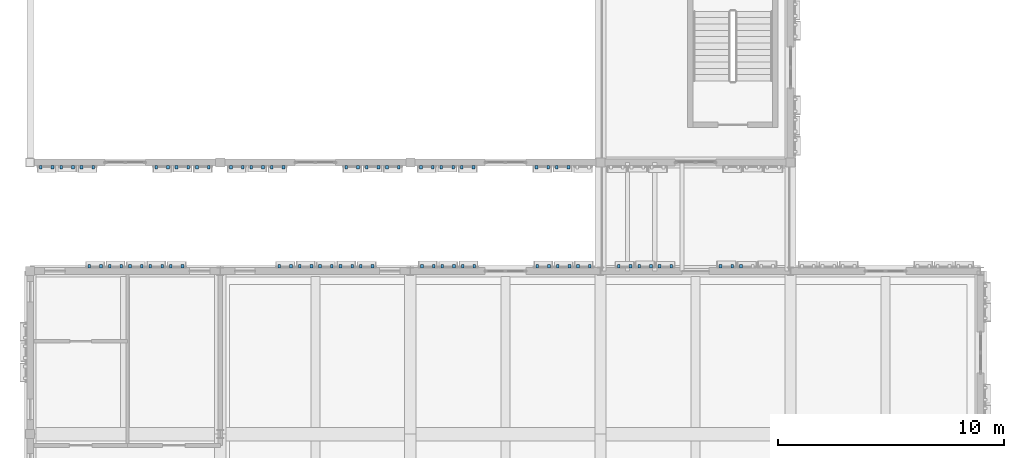
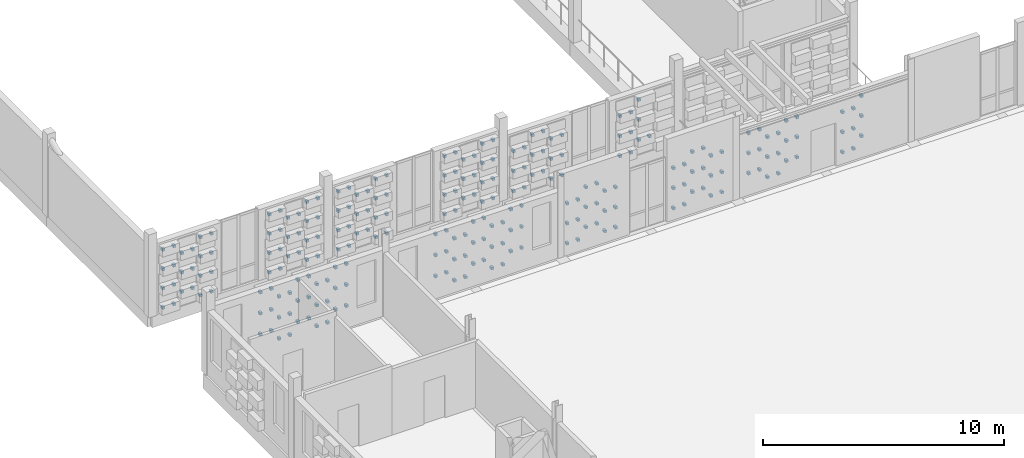
# One storey, part 81 of 99: 239 discrete accessories.
"""IFC4 building model written with IfcOpenShell, lengths in metres."""

from ifc_helpers import new_model, si_unit, direction, frame, origin, origin_2d, place, context, subcontext, project, spatial, rectangle, extrude, material, type_object, element, save


model = new_model("IFC4")

# Units and contexts
model_context = context("Model", 3, precision=1e-05, world=origin(), true_north=direction((0.0, 1.0)))
body_context = subcontext(model_context, "Body", "Model", "MODEL_VIEW")
ifc_project = project(units=[si_unit("LENGTHUNIT", "METRE"), si_unit("AREAUNIT", "SQUARE_METRE"), si_unit("VOLUMEUNIT", "CUBIC_METRE"), si_unit("PLANEANGLEUNIT", "RADIAN"), si_unit("MASSUNIT", "GRAM", prefix="KILO")], contexts=[model_context])

# Site, building, storey
site_placement = place(None, origin())
site = spatial("IfcSite", under=ifc_project, at=site_placement, CompositionType="ELEMENT")
building_placement = place(site_placement, origin())
building = spatial("IfcBuilding", under=site, at=building_placement, Name="Kahlenmark Community Centre", CompositionType="ELEMENT")
storey_placement = place(building_placement, frame((0.0, 0.0, 5.39990234375)))
storey = spatial("IfcBuildingStorey", under=building, at=storey_placement, Name="L01", CompositionType="ELEMENT", Elevation=5.39990234375)

# Discrete accessories
ifc_material = material(Name="Stainless steel 1.4401 rainscreen bracket", Category="steel")
discrete_accessory_type = type_object("IfcDiscreteAccessoryType", Name="DAT-BRACKET-TC", PredefinedType="BRACKET", material=ifc_material)
for number, where, z_axis, x_axis, name in (
    (1, (10.72998046875, 37.81005859375, 0.818115234375), (0.0, 0.0, 1.0), (-1.0, 0.0, 0.0), "Terracotta cassette bracket 0182.1"),
    (2, (10.2099609375, 37.81005859375, 0.818115234375), (0.0, 0.0, 1.0), (-1.0, 0.0, 0.0), "Terracotta cassette bracket 0182.2"),
    (3, (10.72998046875, 37.81005859375, 1.882080078125), (0.0, 0.0, 1.0), (-1.0, 0.0, 0.0), "Terracotta cassette bracket 0184.1"),
    (4, (10.2099609375, 37.81005859375, 1.882080078125), (0.0, 0.0, 1.0), (-1.0, 0.0, 0.0), "Terracotta cassette bracket 0184.2"),
    (5, (10.72998046875, 37.81005859375, 2.946044921875), (0.0, 0.0, 1.0), (-1.0, 0.0, 0.0), "Terracotta cassette bracket 0186.1"),
    (6, (10.2099609375, 37.81005859375, 2.946044921875), (0.0, 0.0, 1.0), (-1.0, 0.0, 0.0), "Terracotta cassette bracket 0186.2"),
    (7, (9.830078125, 37.81005859375, 0.2861328125), (0.0, 0.0, 1.0), (-1.0, 0.0, 0.0), "Terracotta cassette bracket 0187.1"),
    (8, (9.31005859375, 37.81005859375, 0.2861328125), (0.0, 0.0, 1.0), (-1.0, 0.0, 0.0), "Terracotta cassette bracket 0187.2"),
    (9, (9.830078125, 37.81005859375, 1.35009765625), (0.0, 0.0, 1.0), (-1.0, 0.0, 0.0), "Terracotta cassette bracket 0189.1"),
    (10, (9.31005859375, 37.81005859375, 1.35009765625), (0.0, 0.0, 1.0), (-1.0, 0.0, 0.0), "Terracotta cassette bracket 0189.2"),
    (11, (9.830078125, 37.81005859375, 2.4140625), (0.0, 0.0, 1.0), (-1.0, 0.0, 0.0), "Terracotta cassette bracket 0191.1"),
    (12, (9.31005859375, 37.81005859375, 2.4140625), (0.0, 0.0, 1.0), (-1.0, 0.0, 0.0), "Terracotta cassette bracket 0191.2"),
    (13, (8.929931640625, 37.81005859375, 0.818115234375), (0.0, 0.0, 1.0), (-1.0, 0.0, 0.0), "Terracotta cassette bracket 0194.1"),
    (14, (8.409912109375, 37.81005859375, 0.818115234375), (0.0, 0.0, 1.0), (-1.0, 0.0, 0.0), "Terracotta cassette bracket 0194.2"),
    (15, (8.929931640625, 37.81005859375, 1.882080078125), (0.0, 0.0, 1.0), (-1.0, 0.0, 0.0), "Terracotta cassette bracket 0196.1"),
    (16, (8.409912109375, 37.81005859375, 1.882080078125), (0.0, 0.0, 1.0), (-1.0, 0.0, 0.0), "Terracotta cassette bracket 0196.2"),
    (17, (8.929931640625, 37.81005859375, 2.946044921875), (0.0, 0.0, 1.0), (-1.0, 0.0, 0.0), "Terracotta cassette bracket 0198.1"),
    (18, (8.409912109375, 37.81005859375, 2.946044921875), (0.0, 0.0, 1.0), (-1.0, 0.0, 0.0), "Terracotta cassette bracket 0198.2"),
    (19, (8.030029296875, 37.81005859375, 0.2861328125), (0.0, 0.0, 1.0), (-1.0, 0.0, 0.0), "Terracotta cassette bracket 0199.1"),
    (20, (7.510009765625, 37.81005859375, 0.2861328125), (0.0, 0.0, 1.0), (-1.0, 0.0, 0.0), "Terracotta cassette bracket 0199.2"),
    (21, (8.030029296875, 37.81005859375, 1.35009765625), (0.0, 0.0, 1.0), (-1.0, 0.0, 0.0), "Terracotta cassette bracket 0201.1"),
    (22, (7.510009765625, 37.81005859375, 1.35009765625), (0.0, 0.0, 1.0), (-1.0, 0.0, 0.0), "Terracotta cassette bracket 0201.2"),
    (23, (8.030029296875, 37.81005859375, 2.4140625), (0.0, 0.0, 1.0), (-1.0, 0.0, 0.0), "Terracotta cassette bracket 0203.1"),
    (24, (7.510009765625, 37.81005859375, 2.4140625), (0.0, 0.0, 1.0), (-1.0, 0.0, 0.0), "Terracotta cassette bracket 0203.2"),
    (25, (7.1298828125, 37.81005859375, 0.818115234375), (0.0, 0.0, 1.0), (-1.0, 0.0, 0.0), "Terracotta cassette bracket 0206.1"),
    (26, (6.610107421875, 37.81005859375, 0.818115234375), (0.0, 0.0, 1.0), (-1.0, 0.0, 0.0), "Terracotta cassette bracket 0206.2"),
    (27, (7.1298828125, 37.81005859375, 1.882080078125), (0.0, 0.0, 1.0), (-1.0, 0.0, 0.0), "Terracotta cassette bracket 0208.1"),
    (28, (6.610107421875, 37.81005859375, 1.882080078125), (0.0, 0.0, 1.0), (-1.0, 0.0, 0.0), "Terracotta cassette bracket 0208.2"),
    (29, (7.1298828125, 37.81005859375, 2.946044921875), (0.0, 0.0, 1.0), (-1.0, 0.0, 0.0), "Terracotta cassette bracket 0210.1"),
    (30, (6.610107421875, 37.81005859375, 2.946044921875), (0.0, 0.0, 1.0), (-1.0, 0.0, 0.0), "Terracotta cassette bracket 0210.2"),
    (31, (19.1298828125, 37.81005859375, 0.818115234375), (0.0, 0.0, 1.0), (-1.0, 0.0, 0.0), "Terracotta cassette bracket 0212.1"),
    (32, (18.610107421875, 37.81005859375, 0.818115234375), (0.0, 0.0, 1.0), (-1.0, 0.0, 0.0), "Terracotta cassette bracket 0212.2"),
    (33, (19.1298828125, 37.81005859375, 1.882080078125), (0.0, 0.0, 1.0), (-1.0, 0.0, 0.0), "Terracotta cassette bracket 0214.1"),
    (34, (18.610107421875, 37.81005859375, 1.882080078125), (0.0, 0.0, 1.0), (-1.0, 0.0, 0.0), "Terracotta cassette bracket 0214.2"),
    (35, (19.1298828125, 37.81005859375, 2.946044921875), (0.0, 0.0, 1.0), (-1.0, 0.0, 0.0), "Terracotta cassette bracket 0216.1"),
    (36, (18.610107421875, 37.81005859375, 2.946044921875), (0.0, 0.0, 1.0), (-1.0, 0.0, 0.0), "Terracotta cassette bracket 0216.2"),
    (37, (18.22998046875, 37.81005859375, 0.2861328125), (0.0, 0.0, 1.0), (-1.0, 0.0, 0.0), "Terracotta cassette bracket 0217.1"),
    (38, (17.7099609375, 37.81005859375, 0.2861328125), (0.0, 0.0, 1.0), (-1.0, 0.0, 0.0), "Terracotta cassette bracket 0217.2"),
    (39, (18.22998046875, 37.81005859375, 1.35009765625), (0.0, 0.0, 1.0), (-1.0, 0.0, 0.0), "Terracotta cassette bracket 0219.1"),
    (40, (17.7099609375, 37.81005859375, 1.35009765625), (0.0, 0.0, 1.0), (-1.0, 0.0, 0.0), "Terracotta cassette bracket 0219.2"),
    (41, (18.22998046875, 37.81005859375, 2.4140625), (0.0, 0.0, 1.0), (-1.0, 0.0, 0.0), "Terracotta cassette bracket 0221.1"),
    (42, (17.7099609375, 37.81005859375, 2.4140625), (0.0, 0.0, 1.0), (-1.0, 0.0, 0.0), "Terracotta cassette bracket 0221.2"),
    (43, (17.330078125, 37.81005859375, 0.818115234375), (0.0, 0.0, 1.0), (-1.0, 0.0, 0.0), "Terracotta cassette bracket 0224.1"),
    (44, (16.81005859375, 37.81005859375, 0.818115234375), (0.0, 0.0, 1.0), (-1.0, 0.0, 0.0), "Terracotta cassette bracket 0224.2"),
    (45, (17.330078125, 37.81005859375, 1.882080078125), (0.0, 0.0, 1.0), (-1.0, 0.0, 0.0), "Terracotta cassette bracket 0226.1"),
    (46, (16.81005859375, 37.81005859375, 1.882080078125), (0.0, 0.0, 1.0), (-1.0, 0.0, 0.0), "Terracotta cassette bracket 0226.2"),
    (47, (17.330078125, 37.81005859375, 2.946044921875), (0.0, 0.0, 1.0), (-1.0, 0.0, 0.0), "Terracotta cassette bracket 0228.1"),
    (48, (16.81005859375, 37.81005859375, 2.946044921875), (0.0, 0.0, 1.0), (-1.0, 0.0, 0.0), "Terracotta cassette bracket 0228.2"),
    (49, (16.429931640625, 37.81005859375, 0.2861328125), (0.0, 0.0, 1.0), (-1.0, 0.0, 0.0), "Terracotta cassette bracket 0229.1"),
    (50, (15.909912109375, 37.81005859375, 0.2861328125), (0.0, 0.0, 1.0), (-1.0, 0.0, 0.0), "Terracotta cassette bracket 0229.2"),
    (51, (16.429931640625, 37.81005859375, 1.35009765625), (0.0, 0.0, 1.0), (-1.0, 0.0, 0.0), "Terracotta cassette bracket 0231.1"),
    (52, (15.909912109375, 37.81005859375, 1.35009765625), (0.0, 0.0, 1.0), (-1.0, 0.0, 0.0), "Terracotta cassette bracket 0231.2"),
    (53, (16.429931640625, 37.81005859375, 2.4140625), (0.0, 0.0, 1.0), (-1.0, 0.0, 0.0), "Terracotta cassette bracket 0233.1"),
    (54, (15.909912109375, 37.81005859375, 2.4140625), (0.0, 0.0, 1.0), (-1.0, 0.0, 0.0), "Terracotta cassette bracket 0233.2"),
    (55, (15.530029296875, 37.81005859375, 0.818115234375), (0.0, 0.0, 1.0), (-1.0, 0.0, 0.0), "Terracotta cassette bracket 0236.1"),
    (56, (15.010009765625, 37.81005859375, 0.818115234375), (0.0, 0.0, 1.0), (-1.0, 0.0, 0.0), "Terracotta cassette bracket 0236.2"),
    (57, (15.530029296875, 37.81005859375, 1.882080078125), (0.0, 0.0, 1.0), (-1.0, 0.0, 0.0), "Terracotta cassette bracket 0238.1"),
    (58, (15.010009765625, 37.81005859375, 1.882080078125), (0.0, 0.0, 1.0), (-1.0, 0.0, 0.0), "Terracotta cassette bracket 0238.2"),
    (59, (15.530029296875, 37.81005859375, 2.946044921875), (0.0, 0.0, 1.0), (-1.0, 0.0, 0.0), "Terracotta cassette bracket 0240.1"),
    (60, (15.010009765625, 37.81005859375, 2.946044921875), (0.0, 0.0, 1.0), (-1.0, 0.0, 0.0), "Terracotta cassette bracket 0240.2"),
    (61, (28.72998046875, 37.81005859375, 0.27392578125), (0.0, 0.0, 1.0), (-1.0, 0.0, 0.0), "Terracotta cassette bracket 0241.1"),
    (62, (28.2099609375, 37.81005859375, 0.27392578125), (0.0, 0.0, 1.0), (-1.0, 0.0, 0.0), "Terracotta cassette bracket 0241.2"),
    (63, (28.72998046875, 37.81005859375, 1.2900390625), (0.0, 0.0, 1.0), (-1.0, 0.0, 0.0), "Terracotta cassette bracket 0243.1"),
    (64, (28.2099609375, 37.81005859375, 1.2900390625), (0.0, 0.0, 1.0), (-1.0, 0.0, 0.0), "Terracotta cassette bracket 0243.2"),
    (65, (28.72998046875, 37.81005859375, 2.30615234375), (0.0, 0.0, 1.0), (-1.0, 0.0, 0.0), "Terracotta cassette bracket 0245.1"),
    (66, (28.2099609375, 37.81005859375, 2.30615234375), (0.0, 0.0, 1.0), (-1.0, 0.0, 0.0), "Terracotta cassette bracket 0245.2"),
    (67, (27.830078125, 37.81005859375, 0.781982421875), (0.0, 0.0, 1.0), (-1.0, 0.0, 0.0), "Terracotta cassette bracket 0248.1"),
    (68, (27.31005859375, 37.81005859375, 0.781982421875), (0.0, 0.0, 1.0), (-1.0, 0.0, 0.0), "Terracotta cassette bracket 0248.2"),
    (69, (27.830078125, 37.81005859375, 1.798095703125), (0.0, 0.0, 1.0), (-1.0, 0.0, 0.0), "Terracotta cassette bracket 0250.1"),
    (70, (27.31005859375, 37.81005859375, 1.798095703125), (0.0, 0.0, 1.0), (-1.0, 0.0, 0.0), "Terracotta cassette bracket 0250.2"),
    (71, (27.830078125, 37.81005859375, 2.81396484375), (0.0, 0.0, 1.0), (-1.0, 0.0, 0.0), "Terracotta cassette bracket 0252.1"),
    (72, (27.31005859375, 37.81005859375, 2.81396484375), (0.0, 0.0, 1.0), (-1.0, 0.0, 0.0), "Terracotta cassette bracket 0252.2"),
    (73, (26.929931640625, 37.81005859375, 0.27392578125), (0.0, 0.0, 1.0), (-1.0, 0.0, 0.0), "Terracotta cassette bracket 0253.1"),
    (74, (26.409912109375, 37.81005859375, 0.27392578125), (0.0, 0.0, 1.0), (-1.0, 0.0, 0.0), "Terracotta cassette bracket 0253.2"),
    (75, (26.929931640625, 37.81005859375, 1.2900390625), (0.0, 0.0, 1.0), (-1.0, 0.0, 0.0), "Terracotta cassette bracket 0255.1"),
    (76, (26.409912109375, 37.81005859375, 1.2900390625), (0.0, 0.0, 1.0), (-1.0, 0.0, 0.0), "Terracotta cassette bracket 0255.2"),
    (77, (26.929931640625, 37.81005859375, 2.30615234375), (0.0, 0.0, 1.0), (-1.0, 0.0, 0.0), "Terracotta cassette bracket 0257.1"),
    (78, (26.409912109375, 37.81005859375, 2.30615234375), (0.0, 0.0, 1.0), (-1.0, 0.0, 0.0), "Terracotta cassette bracket 0257.2"),
    (79, (23.6298828125, 37.81005859375, 0.27392578125), (0.0, 0.0, 1.0), (-1.0, 0.0, 0.0), "Terracotta cassette bracket 0259.1"),
    (80, (23.110107421875, 37.81005859375, 0.27392578125), (0.0, 0.0, 1.0), (-1.0, 0.0, 0.0), "Terracotta cassette bracket 0259.2"),
    (81, (23.6298828125, 37.81005859375, 1.2900390625), (0.0, 0.0, 1.0), (-1.0, 0.0, 0.0), "Terracotta cassette bracket 0261.1"),
    (82, (23.110107421875, 37.81005859375, 1.2900390625), (0.0, 0.0, 1.0), (-1.0, 0.0, 0.0), "Terracotta cassette bracket 0261.2"),
    (83, (23.6298828125, 37.81005859375, 2.30615234375), (0.0, 0.0, 1.0), (-1.0, 0.0, 0.0), "Terracotta cassette bracket 0263.1"),
    (84, (23.110107421875, 37.81005859375, 2.30615234375), (0.0, 0.0, 1.0), (-1.0, 0.0, 0.0), "Terracotta cassette bracket 0263.2"),
    (85, (22.72998046875, 37.81005859375, 0.781982421875), (0.0, 0.0, 1.0), (-1.0, 0.0, 0.0), "Terracotta cassette bracket 0266.1"),
    (86, (22.2099609375, 37.81005859375, 0.781982421875), (0.0, 0.0, 1.0), (-1.0, 0.0, 0.0), "Terracotta cassette bracket 0266.2"),
    (87, (22.72998046875, 37.81005859375, 1.798095703125), (0.0, 0.0, 1.0), (-1.0, 0.0, 0.0), "Terracotta cassette bracket 0268.1"),
    (88, (22.2099609375, 37.81005859375, 1.798095703125), (0.0, 0.0, 1.0), (-1.0, 0.0, 0.0), "Terracotta cassette bracket 0268.2"),
    (89, (22.72998046875, 37.81005859375, 2.81396484375), (0.0, 0.0, 1.0), (-1.0, 0.0, 0.0), "Terracotta cassette bracket 0270.1"),
    (90, (22.2099609375, 37.81005859375, 2.81396484375), (0.0, 0.0, 1.0), (-1.0, 0.0, 0.0), "Terracotta cassette bracket 0270.2"),
    (91, (21.830078125, 37.81005859375, 0.27392578125), (0.0, 0.0, 1.0), (-1.0, 0.0, 0.0), "Terracotta cassette bracket 0271.1"),
    (92, (21.31005859375, 37.81005859375, 0.27392578125), (0.0, 0.0, 1.0), (-1.0, 0.0, 0.0), "Terracotta cassette bracket 0271.2"),
    (93, (21.830078125, 37.81005859375, 1.2900390625), (0.0, 0.0, 1.0), (-1.0, 0.0, 0.0), "Terracotta cassette bracket 0273.1"),
    (94, (21.31005859375, 37.81005859375, 1.2900390625), (0.0, 0.0, 1.0), (-1.0, 0.0, 0.0), "Terracotta cassette bracket 0273.2"),
    (95, (21.830078125, 37.81005859375, 2.30615234375), (0.0, 0.0, 1.0), (-1.0, 0.0, 0.0), "Terracotta cassette bracket 0275.1"),
    (96, (21.31005859375, 37.81005859375, 2.30615234375), (0.0, 0.0, 1.0), (-1.0, 0.0, 0.0), "Terracotta cassette bracket 0275.2"),
    (97, (35.409912109375, 37.81005859375, 0.781982421875), (0.0, 0.0, 1.0), (-1.0, 0.0, 0.0), "Terracotta cassette bracket 0284.2"),
    (98, (35.409912109375, 37.81005859375, 1.798095703125), (0.0, 0.0, 1.0), (-1.0, 0.0, 0.0), "Terracotta cassette bracket 0286.2"),
    (99, (35.409912109375, 37.81005859375, 2.81396484375), (0.0, 0.0, 1.0), (-1.0, 0.0, 0.0), "Terracotta cassette bracket 0288.2"),
    (100, (35.030029296875, 37.81005859375, 0.27392578125), (0.0, 0.0, 1.0), (-1.0, 0.0, 0.0), "Terracotta cassette bracket 0289.1"),
    (101, (34.510009765625, 37.81005859375, 0.27392578125), (0.0, 0.0, 1.0), (-1.0, 0.0, 0.0), "Terracotta cassette bracket 0289.2"),
    (102, (35.030029296875, 37.81005859375, 1.2900390625), (0.0, 0.0, 1.0), (-1.0, 0.0, 0.0), "Terracotta cassette bracket 0291.1"),
    (103, (34.510009765625, 37.81005859375, 1.2900390625), (0.0, 0.0, 1.0), (-1.0, 0.0, 0.0), "Terracotta cassette bracket 0291.2"),
    (104, (35.030029296875, 37.81005859375, 2.30615234375), (0.0, 0.0, 1.0), (-1.0, 0.0, 0.0), "Terracotta cassette bracket 0293.1"),
    (105, (34.510009765625, 37.81005859375, 2.30615234375), (0.0, 0.0, 1.0), (-1.0, 0.0, 0.0), "Terracotta cassette bracket 0293.2"),
    (106, (32.330078125, 37.81005859375, 0.781982421875), (0.0, 0.0, 1.0), (-1.0, 0.0, 0.0), "Terracotta cassette bracket 0296.1"),
    (107, (31.81005859375, 37.81005859375, 0.781982421875), (0.0, 0.0, 1.0), (-1.0, 0.0, 0.0), "Terracotta cassette bracket 0296.2"),
    (108, (32.330078125, 37.81005859375, 1.798095703125), (0.0, 0.0, 1.0), (-1.0, 0.0, 0.0), "Terracotta cassette bracket 0298.1"),
    (109, (31.81005859375, 37.81005859375, 1.798095703125), (0.0, 0.0, 1.0), (-1.0, 0.0, 0.0), "Terracotta cassette bracket 0298.2"),
    (110, (32.330078125, 37.81005859375, 2.81396484375), (0.0, 0.0, 1.0), (-1.0, 0.0, 0.0), "Terracotta cassette bracket 0300.1"),
    (111, (31.81005859375, 37.81005859375, 2.81396484375), (0.0, 0.0, 1.0), (-1.0, 0.0, 0.0), "Terracotta cassette bracket 0300.2"),
    (112, (31.429931640625, 37.81005859375, 0.27392578125), (0.0, 0.0, 1.0), (-1.0, 0.0, 0.0), "Terracotta cassette bracket 0301.1"),
    (113, (30.909912109375, 37.81005859375, 0.27392578125), (0.0, 0.0, 1.0), (-1.0, 0.0, 0.0), "Terracotta cassette bracket 0301.2"),
    (114, (31.429931640625, 37.81005859375, 1.2900390625), (0.0, 0.0, 1.0), (-1.0, 0.0, 0.0), "Terracotta cassette bracket 0303.1"),
    (115, (30.909912109375, 37.81005859375, 1.2900390625), (0.0, 0.0, 1.0), (-1.0, 0.0, 0.0), "Terracotta cassette bracket 0303.2"),
    (116, (31.429931640625, 37.81005859375, 2.30615234375), (0.0, 0.0, 1.0), (-1.0, 0.0, 0.0), "Terracotta cassette bracket 0305.1"),
    (117, (30.909912109375, 37.81005859375, 2.30615234375), (0.0, 0.0, 1.0), (-1.0, 0.0, 0.0), "Terracotta cassette bracket 0305.2"),
    (118, (30.530029296875, 37.81005859375, 0.781982421875), (0.0, 0.0, 1.0), (-1.0, 0.0, 0.0), "Terracotta cassette bracket 0308.1"),
    (119, (30.010009765625, 37.81005859375, 0.781982421875), (0.0, 0.0, 1.0), (-1.0, 0.0, 0.0), "Terracotta cassette bracket 0308.2"),
    (120, (30.530029296875, 37.81005859375, 1.798095703125), (0.0, 0.0, 1.0), (-1.0, 0.0, 0.0), "Terracotta cassette bracket 0310.1"),
    (121, (30.010009765625, 37.81005859375, 1.798095703125), (0.0, 0.0, 1.0), (-1.0, 0.0, 0.0), "Terracotta cassette bracket 0310.2"),
    (122, (30.530029296875, 37.81005859375, 2.81396484375), (0.0, 0.0, 1.0), (-1.0, 0.0, 0.0), "Terracotta cassette bracket 0312.1"),
    (123, (30.010009765625, 37.81005859375, 2.81396484375), (0.0, 0.0, 1.0), (-1.0, 0.0, 0.0), "Terracotta cassette bracket 0312.2"),
    (124, (4.469970703125, 42.18994140625, 0.26513671875), (0.0, 0.0, 1.0), (1.0, 0.0, 0.0), "Terracotta cassette bracket 0485.1"),
    (125, (4.989990234375, 42.18994140625, 0.26513671875), (0.0, 0.0, 1.0), (1.0, 0.0, 0.0), "Terracotta cassette bracket 0485.2"),
    (126, (4.469970703125, 42.18994140625, 1.2451171875), (0.0, 0.0, 1.0), (1.0, 0.0, 0.0), "Terracotta cassette bracket 0487.1"),
    (127, (4.989990234375, 42.18994140625, 1.2451171875), (0.0, 0.0, 1.0), (1.0, 0.0, 0.0), "Terracotta cassette bracket 0487.2"),
    (128, (4.469970703125, 42.18994140625, 2.22509765625), (0.0, 0.0, 1.0), (1.0, 0.0, 0.0), "Terracotta cassette bracket 0489.1"),
    (129, (4.989990234375, 42.18994140625, 2.22509765625), (0.0, 0.0, 1.0), (1.0, 0.0, 0.0), "Terracotta cassette bracket 0489.2"),
    (130, (4.469970703125, 42.18994140625, 3.205078125), (0.0, 0.0, 1.0), (1.0, 0.0, 0.0), "Terracotta cassette bracket 0491.1"),
    (131, (4.989990234375, 42.18994140625, 3.205078125), (0.0, 0.0, 1.0), (1.0, 0.0, 0.0), "Terracotta cassette bracket 0491.2"),
    (132, (5.3701171875, 42.18994140625, 0.755126953125), (0.0, 0.0, 1.0), (1.0, 0.0, 0.0), "Terracotta cassette bracket 0493.1"),
    (133, (5.889892578125, 42.18994140625, 0.755126953125), (0.0, 0.0, 1.0), (1.0, 0.0, 0.0), "Terracotta cassette bracket 0493.2"),
    (134, (5.3701171875, 42.18994140625, 1.735107421875), (0.0, 0.0, 1.0), (1.0, 0.0, 0.0), "Terracotta cassette bracket 0495.1"),
    (135, (5.889892578125, 42.18994140625, 1.735107421875), (0.0, 0.0, 1.0), (1.0, 0.0, 0.0), "Terracotta cassette bracket 0495.2"),
    (136, (5.3701171875, 42.18994140625, 2.715087890625), (0.0, 0.0, 1.0), (1.0, 0.0, 0.0), "Terracotta cassette bracket 0497.1"),
    (137, (5.889892578125, 42.18994140625, 2.715087890625), (0.0, 0.0, 1.0), (1.0, 0.0, 0.0), "Terracotta cassette bracket 0497.2"),
    (138, (6.27001953125, 42.18994140625, 0.26513671875), (0.0, 0.0, 1.0), (1.0, 0.0, 0.0), "Terracotta cassette bracket 0499.1"),
    (139, (6.7900390625, 42.18994140625, 0.26513671875), (0.0, 0.0, 1.0), (1.0, 0.0, 0.0), "Terracotta cassette bracket 0499.2"),
    (140, (6.27001953125, 42.18994140625, 1.2451171875), (0.0, 0.0, 1.0), (1.0, 0.0, 0.0), "Terracotta cassette bracket 0501.1"),
    (141, (6.7900390625, 42.18994140625, 1.2451171875), (0.0, 0.0, 1.0), (1.0, 0.0, 0.0), "Terracotta cassette bracket 0501.2"),
    (142, (6.27001953125, 42.18994140625, 2.22509765625), (0.0, 0.0, 1.0), (1.0, 0.0, 0.0), "Terracotta cassette bracket 0503.1"),
    (143, (6.7900390625, 42.18994140625, 2.22509765625), (0.0, 0.0, 1.0), (1.0, 0.0, 0.0), "Terracotta cassette bracket 0503.2"),
    (144, (6.27001953125, 42.18994140625, 3.205078125), (0.0, 0.0, 1.0), (1.0, 0.0, 0.0), "Terracotta cassette bracket 0505.1"),
    (145, (6.7900390625, 42.18994140625, 3.205078125), (0.0, 0.0, 1.0), (1.0, 0.0, 0.0), "Terracotta cassette bracket 0505.2"),
    (146, (9.570068359375, 42.18994140625, 0.26513671875), (0.0, 0.0, 1.0), (1.0, 0.0, 0.0), "Terracotta cassette bracket 0506.1"),
    (147, (10.090087890625, 42.18994140625, 0.26513671875), (0.0, 0.0, 1.0), (1.0, 0.0, 0.0), "Terracotta cassette bracket 0506.2"),
    (148, (9.570068359375, 42.18994140625, 1.2451171875), (0.0, 0.0, 1.0), (1.0, 0.0, 0.0), "Terracotta cassette bracket 0508.1"),
    (149, (10.090087890625, 42.18994140625, 1.2451171875), (0.0, 0.0, 1.0), (1.0, 0.0, 0.0), "Terracotta cassette bracket 0508.2"),
    (150, (9.570068359375, 42.18994140625, 2.22509765625), (0.0, 0.0, 1.0), (1.0, 0.0, 0.0), "Terracotta cassette bracket 0510.1"),
    (151, (10.090087890625, 42.18994140625, 2.22509765625), (0.0, 0.0, 1.0), (1.0, 0.0, 0.0), "Terracotta cassette bracket 0510.2"),
    (152, (9.570068359375, 42.18994140625, 3.205078125), (0.0, 0.0, 1.0), (1.0, 0.0, 0.0), "Terracotta cassette bracket 0512.1"),
    (153, (10.090087890625, 42.18994140625, 3.205078125), (0.0, 0.0, 1.0), (1.0, 0.0, 0.0), "Terracotta cassette bracket 0512.2"),
    (154, (10.469970703125, 42.18994140625, 0.755126953125), (0.0, 0.0, 1.0), (1.0, 0.0, 0.0), "Terracotta cassette bracket 0514.1"),
    (155, (10.989990234375, 42.18994140625, 0.755126953125), (0.0, 0.0, 1.0), (1.0, 0.0, 0.0), "Terracotta cassette bracket 0514.2"),
    (156, (10.469970703125, 42.18994140625, 1.735107421875), (0.0, 0.0, 1.0), (1.0, 0.0, 0.0), "Terracotta cassette bracket 0516.1"),
    (157, (10.989990234375, 42.18994140625, 1.735107421875), (0.0, 0.0, 1.0), (1.0, 0.0, 0.0), "Terracotta cassette bracket 0516.2"),
    (158, (10.469970703125, 42.18994140625, 2.715087890625), (0.0, 0.0, 1.0), (1.0, 0.0, 0.0), "Terracotta cassette bracket 0518.1"),
    (159, (10.989990234375, 42.18994140625, 2.715087890625), (0.0, 0.0, 1.0), (1.0, 0.0, 0.0), "Terracotta cassette bracket 0518.2"),
    (160, (11.3701171875, 42.18994140625, 0.26513671875), (0.0, 0.0, 1.0), (1.0, 0.0, 0.0), "Terracotta cassette bracket 0520.1"),
    (161, (11.889892578125, 42.18994140625, 0.26513671875), (0.0, 0.0, 1.0), (1.0, 0.0, 0.0), "Terracotta cassette bracket 0520.2"),
    (162, (11.3701171875, 42.18994140625, 1.2451171875), (0.0, 0.0, 1.0), (1.0, 0.0, 0.0), "Terracotta cassette bracket 0522.1"),
    (163, (11.889892578125, 42.18994140625, 1.2451171875), (0.0, 0.0, 1.0), (1.0, 0.0, 0.0), "Terracotta cassette bracket 0522.2"),
    (164, (11.3701171875, 42.18994140625, 2.22509765625), (0.0, 0.0, 1.0), (1.0, 0.0, 0.0), "Terracotta cassette bracket 0524.1"),
    (165, (11.889892578125, 42.18994140625, 2.22509765625), (0.0, 0.0, 1.0), (1.0, 0.0, 0.0), "Terracotta cassette bracket 0524.2"),
    (166, (11.3701171875, 42.18994140625, 3.205078125), (0.0, 0.0, 1.0), (1.0, 0.0, 0.0), "Terracotta cassette bracket 0526.1"),
    (167, (11.889892578125, 42.18994140625, 3.205078125), (0.0, 0.0, 1.0), (1.0, 0.0, 0.0), "Terracotta cassette bracket 0526.2"),
    (168, (12.8701171875, 42.18994140625, 0.26513671875), (0.0, 0.0, 1.0), (1.0, 0.0, 0.0), "Terracotta cassette bracket 0527.1"),
    (169, (13.389892578125, 42.18994140625, 0.26513671875), (0.0, 0.0, 1.0), (1.0, 0.0, 0.0), "Terracotta cassette bracket 0527.2"),
    (170, (12.8701171875, 42.18994140625, 1.2451171875), (0.0, 0.0, 1.0), (1.0, 0.0, 0.0), "Terracotta cassette bracket 0529.1"),
    (171, (13.389892578125, 42.18994140625, 1.2451171875), (0.0, 0.0, 1.0), (1.0, 0.0, 0.0), "Terracotta cassette bracket 0529.2"),
    (172, (12.8701171875, 42.18994140625, 2.22509765625), (0.0, 0.0, 1.0), (1.0, 0.0, 0.0), "Terracotta cassette bracket 0531.1"),
    (173, (13.389892578125, 42.18994140625, 2.22509765625), (0.0, 0.0, 1.0), (1.0, 0.0, 0.0), "Terracotta cassette bracket 0531.2"),
    (174, (12.8701171875, 42.18994140625, 3.205078125), (0.0, 0.0, 1.0), (1.0, 0.0, 0.0), "Terracotta cassette bracket 0533.1"),
    (175, (13.389892578125, 42.18994140625, 3.205078125), (0.0, 0.0, 1.0), (1.0, 0.0, 0.0), "Terracotta cassette bracket 0533.2"),
    (176, (13.77001953125, 42.18994140625, 0.755126953125), (0.0, 0.0, 1.0), (1.0, 0.0, 0.0), "Terracotta cassette bracket 0535.1"),
    (177, (14.2900390625, 42.18994140625, 0.755126953125), (0.0, 0.0, 1.0), (1.0, 0.0, 0.0), "Terracotta cassette bracket 0535.2"),
    (178, (13.77001953125, 42.18994140625, 1.735107421875), (0.0, 0.0, 1.0), (1.0, 0.0, 0.0), "Terracotta cassette bracket 0537.1"),
    (179, (14.2900390625, 42.18994140625, 1.735107421875), (0.0, 0.0, 1.0), (1.0, 0.0, 0.0), "Terracotta cassette bracket 0537.2"),
    (180, (13.77001953125, 42.18994140625, 2.715087890625), (0.0, 0.0, 1.0), (1.0, 0.0, 0.0), "Terracotta cassette bracket 0539.1"),
    (181, (14.2900390625, 42.18994140625, 2.715087890625), (0.0, 0.0, 1.0), (1.0, 0.0, 0.0), "Terracotta cassette bracket 0539.2"),
    (182, (14.669921875, 42.18994140625, 0.26513671875), (0.0, 0.0, 1.0), (1.0, 0.0, 0.0), "Terracotta cassette bracket 0541.1"),
    (183, (15.18994140625, 42.18994140625, 0.26513671875), (0.0, 0.0, 1.0), (1.0, 0.0, 0.0), "Terracotta cassette bracket 0541.2"),
    (184, (14.669921875, 42.18994140625, 1.2451171875), (0.0, 0.0, 1.0), (1.0, 0.0, 0.0), "Terracotta cassette bracket 0543.1"),
    (185, (15.18994140625, 42.18994140625, 1.2451171875), (0.0, 0.0, 1.0), (1.0, 0.0, 0.0), "Terracotta cassette bracket 0543.2"),
    (186, (14.669921875, 42.18994140625, 2.22509765625), (0.0, 0.0, 1.0), (1.0, 0.0, 0.0), "Terracotta cassette bracket 0545.1"),
    (187, (15.18994140625, 42.18994140625, 2.22509765625), (0.0, 0.0, 1.0), (1.0, 0.0, 0.0), "Terracotta cassette bracket 0545.2"),
    (188, (14.669921875, 42.18994140625, 3.205078125), (0.0, 0.0, 1.0), (1.0, 0.0, 0.0), "Terracotta cassette bracket 0547.1"),
    (189, (15.18994140625, 42.18994140625, 3.205078125), (0.0, 0.0, 1.0), (1.0, 0.0, 0.0), "Terracotta cassette bracket 0547.2"),
    (190, (17.969970703125, 42.18994140625, 0.26513671875), (0.0, 0.0, 1.0), (1.0, 0.0, 0.0), "Terracotta cassette bracket 0548.1"),
    (191, (18.489990234375, 42.18994140625, 0.26513671875), (0.0, 0.0, 1.0), (1.0, 0.0, 0.0), "Terracotta cassette bracket 0548.2"),
    (192, (17.969970703125, 42.18994140625, 1.2451171875), (0.0, 0.0, 1.0), (1.0, 0.0, 0.0), "Terracotta cassette bracket 0550.1"),
    (193, (18.489990234375, 42.18994140625, 1.2451171875), (0.0, 0.0, 1.0), (1.0, 0.0, 0.0), "Terracotta cassette bracket 0550.2"),
    (194, (17.969970703125, 42.18994140625, 2.22509765625), (0.0, 0.0, 1.0), (1.0, 0.0, 0.0), "Terracotta cassette bracket 0552.1"),
    (195, (18.489990234375, 42.18994140625, 2.22509765625), (0.0, 0.0, 1.0), (1.0, 0.0, 0.0), "Terracotta cassette bracket 0552.2"),
    (196, (17.969970703125, 42.18994140625, 3.205078125), (0.0, 0.0, 1.0), (1.0, 0.0, 0.0), "Terracotta cassette bracket 0554.1"),
    (197, (18.489990234375, 42.18994140625, 3.205078125), (0.0, 0.0, 1.0), (1.0, 0.0, 0.0), "Terracotta cassette bracket 0554.2"),
    (198, (18.8701171875, 42.18994140625, 0.755126953125), (0.0, 0.0, 1.0), (1.0, 0.0, 0.0), "Terracotta cassette bracket 0556.1"),
    (199, (19.389892578125, 42.18994140625, 0.755126953125), (0.0, 0.0, 1.0), (1.0, 0.0, 0.0), "Terracotta cassette bracket 0556.2"),
    (200, (18.8701171875, 42.18994140625, 1.735107421875), (0.0, 0.0, 1.0), (1.0, 0.0, 0.0), "Terracotta cassette bracket 0558.1"),
    (201, (19.389892578125, 42.18994140625, 1.735107421875), (0.0, 0.0, 1.0), (1.0, 0.0, 0.0), "Terracotta cassette bracket 0558.2"),
    (202, (18.8701171875, 42.18994140625, 2.715087890625), (0.0, 0.0, 1.0), (1.0, 0.0, 0.0), "Terracotta cassette bracket 0560.1"),
    (203, (19.389892578125, 42.18994140625, 2.715087890625), (0.0, 0.0, 1.0), (1.0, 0.0, 0.0), "Terracotta cassette bracket 0560.2"),
    (204, (19.77001953125, 42.18994140625, 0.26513671875), (0.0, 0.0, 1.0), (1.0, 0.0, 0.0), "Terracotta cassette bracket 0562.1"),
    (205, (20.2900390625, 42.18994140625, 0.26513671875), (0.0, 0.0, 1.0), (1.0, 0.0, 0.0), "Terracotta cassette bracket 0562.2"),
    (206, (19.77001953125, 42.18994140625, 1.2451171875), (0.0, 0.0, 1.0), (1.0, 0.0, 0.0), "Terracotta cassette bracket 0564.1"),
    (207, (20.2900390625, 42.18994140625, 1.2451171875), (0.0, 0.0, 1.0), (1.0, 0.0, 0.0), "Terracotta cassette bracket 0564.2"),
    (208, (19.77001953125, 42.18994140625, 2.22509765625), (0.0, 0.0, 1.0), (1.0, 0.0, 0.0), "Terracotta cassette bracket 0566.1"),
    (209, (20.2900390625, 42.18994140625, 2.22509765625), (0.0, 0.0, 1.0), (1.0, 0.0, 0.0), "Terracotta cassette bracket 0566.2"),
    (210, (19.77001953125, 42.18994140625, 3.205078125), (0.0, 0.0, 1.0), (1.0, 0.0, 0.0), "Terracotta cassette bracket 0568.1"),
    (211, (20.2900390625, 42.18994140625, 3.205078125), (0.0, 0.0, 1.0), (1.0, 0.0, 0.0), "Terracotta cassette bracket 0568.2"),
    (212, (21.27001953125, 42.18994140625, 0.27392578125), (0.0, 0.0, 1.0), (1.0, 0.0, 0.0), "Terracotta cassette bracket 0569.1"),
    (213, (21.7900390625, 42.18994140625, 0.27392578125), (0.0, 0.0, 1.0), (1.0, 0.0, 0.0), "Terracotta cassette bracket 0569.2"),
    (214, (21.27001953125, 42.18994140625, 1.2900390625), (0.0, 0.0, 1.0), (1.0, 0.0, 0.0), "Terracotta cassette bracket 0571.1"),
    (215, (21.7900390625, 42.18994140625, 1.2900390625), (0.0, 0.0, 1.0), (1.0, 0.0, 0.0), "Terracotta cassette bracket 0571.2"),
    (216, (21.27001953125, 42.18994140625, 2.30615234375), (0.0, 0.0, 1.0), (1.0, 0.0, 0.0), "Terracotta cassette bracket 0573.1"),
    (217, (21.7900390625, 42.18994140625, 2.30615234375), (0.0, 0.0, 1.0), (1.0, 0.0, 0.0), "Terracotta cassette bracket 0573.2"),
    (218, (22.169921875, 42.18994140625, 0.781982421875), (0.0, 0.0, 1.0), (1.0, 0.0, 0.0), "Terracotta cassette bracket 0576.1"),
    (219, (22.68994140625, 42.18994140625, 0.781982421875), (0.0, 0.0, 1.0), (1.0, 0.0, 0.0), "Terracotta cassette bracket 0576.2"),
    (220, (22.169921875, 42.18994140625, 1.798095703125), (0.0, 0.0, 1.0), (1.0, 0.0, 0.0), "Terracotta cassette bracket 0578.1"),
    (221, (22.68994140625, 42.18994140625, 1.798095703125), (0.0, 0.0, 1.0), (1.0, 0.0, 0.0), "Terracotta cassette bracket 0578.2"),
    (222, (22.169921875, 42.18994140625, 2.81396484375), (0.0, 0.0, 1.0), (1.0, 0.0, 0.0), "Terracotta cassette bracket 0580.1"),
    (223, (22.68994140625, 42.18994140625, 2.81396484375), (0.0, 0.0, 1.0), (1.0, 0.0, 0.0), "Terracotta cassette bracket 0580.2"),
    (224, (23.070068359375, 42.18994140625, 0.27392578125), (0.0, 0.0, 1.0), (1.0, 0.0, 0.0), "Terracotta cassette bracket 0581.1"),
    (225, (23.590087890625, 42.18994140625, 0.27392578125), (0.0, 0.0, 1.0), (1.0, 0.0, 0.0), "Terracotta cassette bracket 0581.2"),
    (226, (23.070068359375, 42.18994140625, 1.2900390625), (0.0, 0.0, 1.0), (1.0, 0.0, 0.0), "Terracotta cassette bracket 0583.1"),
    (227, (23.590087890625, 42.18994140625, 1.2900390625), (0.0, 0.0, 1.0), (1.0, 0.0, 0.0), "Terracotta cassette bracket 0583.2"),
    (228, (23.070068359375, 42.18994140625, 2.30615234375), (0.0, 0.0, 1.0), (1.0, 0.0, 0.0), "Terracotta cassette bracket 0585.1"),
    (229, (23.590087890625, 42.18994140625, 2.30615234375), (0.0, 0.0, 1.0), (1.0, 0.0, 0.0), "Terracotta cassette bracket 0585.2"),
    (230, (26.3701171875, 42.18994140625, 0.27392578125), (0.0, 0.0, 1.0), (1.0, 0.0, 0.0), "Terracotta cassette bracket 0587.1"),
    (231, (26.889892578125, 42.18994140625, 0.27392578125), (0.0, 0.0, 1.0), (1.0, 0.0, 0.0), "Terracotta cassette bracket 0587.2"),
    (232, (26.3701171875, 42.18994140625, 1.2900390625), (0.0, 0.0, 1.0), (1.0, 0.0, 0.0), "Terracotta cassette bracket 0589.1"),
    (233, (26.889892578125, 42.18994140625, 1.2900390625), (0.0, 0.0, 1.0), (1.0, 0.0, 0.0), "Terracotta cassette bracket 0589.2"),
    (234, (26.3701171875, 42.18994140625, 2.30615234375), (0.0, 0.0, 1.0), (1.0, 0.0, 0.0), "Terracotta cassette bracket 0591.1"),
    (235, (26.889892578125, 42.18994140625, 2.30615234375), (0.0, 0.0, 1.0), (1.0, 0.0, 0.0), "Terracotta cassette bracket 0591.2"),
    (236, (27.27001953125, 42.18994140625, 0.781982421875), (0.0, 0.0, 1.0), (1.0, 0.0, 0.0), "Terracotta cassette bracket 0594.1"),
    (237, (27.7900390625, 42.18994140625, 0.781982421875), (0.0, 0.0, 1.0), (1.0, 0.0, 0.0), "Terracotta cassette bracket 0594.2"),
    (238, (27.27001953125, 42.18994140625, 1.798095703125), (0.0, 0.0, 1.0), (1.0, 0.0, 0.0), "Terracotta cassette bracket 0596.1"),
    (239, (27.27001953125, 42.18994140625, 2.81396484375), (0.0, 0.0, 1.0), (1.0, 0.0, 0.0), "Terracotta cassette bracket 0598.1"),
):
    element("IfcDiscreteAccessory", number, at=place(storey_placement, frame(where, z_axis=z_axis, x_axis=x_axis)), inside=storey, type_object=discrete_accessory_type, Name=name, PredefinedType="BRACKET", context=body_context, shape_type="SweptSolid", body=[
        extrude(rectangle(XDim=0.1201171875, YDim=0.159912109375, at=origin_2d()), origin(), (0.0, 0.0, 1.0), 0.1201171875),
    ])

save(model, "model.ifc")
